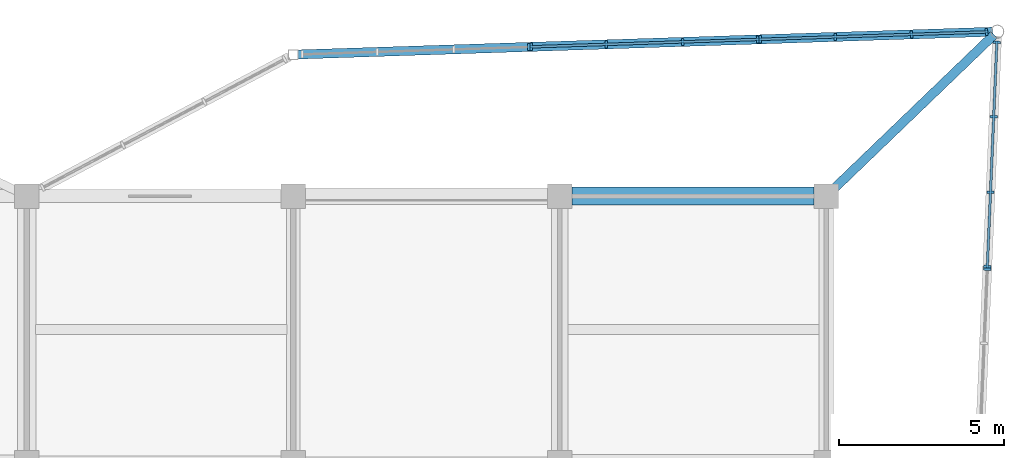
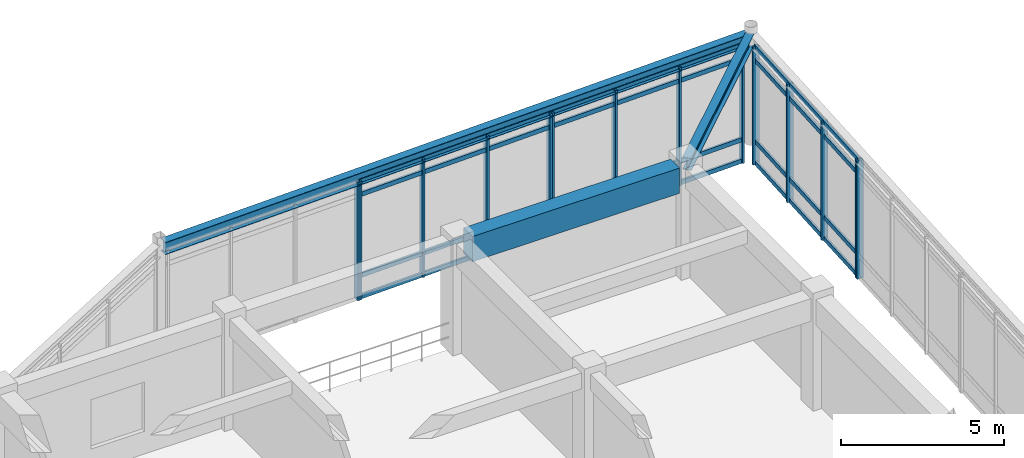
# One storey, part 39 of 70: 26 members, 3 beams, 5 elements without a shape of their own.
"""IFC4 building model written with IfcOpenShell, lengths in metres."""

from ifc_helpers import new_model, si_unit, direction, frame, origin, origin_2d, place, context, subcontext, project, spatial, rectangle, i_section, extrude, material, layer, layer_set, material_profile, profile_set, type_object, element, aggregate, save


model = new_model("IFC4")

# Units and contexts
model_context = context("Model", 3, precision=1e-05, world=origin(), true_north=direction((0.0, 1.0)))
body_context = subcontext(model_context, "Body", "Model", "MODEL_VIEW")
ifc_project = project(units=[si_unit("LENGTHUNIT", "METRE"), si_unit("AREAUNIT", "SQUARE_METRE"), si_unit("VOLUMEUNIT", "CUBIC_METRE"), si_unit("PLANEANGLEUNIT", "RADIAN"), si_unit("MASSUNIT", "GRAM", prefix="KILO")], contexts=[model_context])

# Site, building, storey
site_placement = place(None, origin())
site = spatial("IfcSite", under=ifc_project, at=site_placement, CompositionType="ELEMENT")
building_placement = place(site_placement, origin())
building = spatial("IfcBuilding", under=site, at=building_placement, Name="Vaudrelin Polytechnic", CompositionType="ELEMENT")
storey_placement = place(building_placement, frame((0.0, 0.0, 14.110107421875)))
storey = spatial("IfcBuildingStorey", under=building, at=storey_placement, Name="L03", CompositionType="ELEMENT", Elevation=14.110107421875)

# Beams
ifc_material_1 = material(Name="Concrete 50 MPa", Category="concrete")
ifc_material_profile_1 = material_profile(ifc_material_1, rectangle(XDim=0.550048828125, YDim=0.949951171875, at=origin_2d()), Name="RC550x950")
ifc_profile_set_1 = profile_set([ifc_material_profile_1], Name="Concrete 50 MPa")
beam_type_1 = type_object("IfcBeamType", Name="BM-BM-RC5595", PredefinedType="BEAM", material=ifc_profile_set_1)
beam_1_placement = place(storey_placement, frame((162.37109375, 121.5, 3.684814453125), z_axis=(1.0, 0.0, 0.0), x_axis=(0.0, 1.0, 0.0)))
element("IfcBeam", 1, at=beam_1_placement, inside=storey, type_object=beam_type_1, Name="L03 X-beam 21-16", PredefinedType="BEAM", context=body_context, shape_type="SweptSolid", body=[
    extrude(rectangle(XDim=0.550048828125, YDim=0.949951171875, at=origin_2d()), origin(), (0.0, 0.0, 1.0), 7.35791015625),
])
ifc_material_2 = material(Name="Steel CSA G40.21 350W", Category="steel")
ifc_material_profile_2 = material_profile(ifc_material_2, i_section(OverallWidth=0.280029296875, OverallDepth=0.462890625, WebThickness=0.0107421875, FlangeThickness=0.017333984375, FilletRadius=0.01806640625, at=origin_2d()), Name="W460x113")
ifc_profile_set_2 = profile_set([ifc_material_profile_2], Name="Steel CSA G40.21 350W")
beam_type_2 = type_object("IfcBeamType", Name="BM-BM-W460H", PredefinedType="BEAM", material=ifc_profile_set_2)
beam_2_placement = place(storey_placement, frame((154.039794921875, 125.8046875, 3.928466796875), z_axis=(0.999465724625, 0.032684328046, 0.0), x_axis=(-0.032684328046, 0.999465724625, 0.0)))
element("IfcBeam", 2, at=beam_2_placement, inside=storey, type_object=beam_type_2, Name="Sculptural edge beam L03 NE_BM_2", PredefinedType="BEAM", context=body_context, shape_type="SweptSolid", body=[
    extrude(i_section(OverallWidth=0.280029296875, OverallDepth=0.462890625, WebThickness=0.0107421875, FlangeThickness=0.017333984375, FilletRadius=0.01806640625, at=origin_2d()), origin(), (0.0, 0.0, 1.0), 21.131591796875),
])
beam_3_placement = place(storey_placement, frame((170.200927734375, 121.596923828125, 3.928466796875), z_axis=(0.720825622612, 0.69311645615, 0.0), x_axis=(-0.69311645615, 0.720825622612, 0.0)))
element("IfcBeam", 3, at=beam_3_placement, inside=storey, type_object=beam_type_2, Name="Sculptural edge beam L03 NE_BM_5", PredefinedType="BEAM", context=body_context, shape_type="SweptSolid", body=[
    extrude(i_section(OverallWidth=0.280029296875, OverallDepth=0.462890625, WebThickness=0.0107421875, FlangeThickness=0.017333984375, FilletRadius=0.01806640625, at=origin_2d()), origin(), (0.0, 0.0, 1.0), 6.93408203125),
])

# Curtain wall, member
ifc_material_3 = material(Name="Thermally broken anodised aluminium AA 6063-T6 and low-e triple glazing", Category="aluminium")
ifc_layer = layer(ifc_material_3, 0.199951171875)
ifc_layer_set = layer_set([ifc_layer], Name="Thermally broken anodised aluminium AA 6063-T6 and low-e triple glazing")
curtain_wall_type = type_object("IfcCurtainWallType", Name="CW-CW-LAB", PredefinedType="USERDEFINED", material=ifc_layer_set)
curtain_wall_1_placement = place(storey_placement, origin())
curtain_wall_1 = element("IfcCurtainWall", 4, at=curtain_wall_1_placement, inside=storey, type_object=curtain_wall_type, Name="Curtain wall L03 NEP_2_0", ObjectType="CURTAIN WALL", PredefinedType="USERDEFINED")
ifc_material_4 = material(Name="Anodised aluminium AA 6063-T6", Category="aluminium")
ifc_material_profile_3 = material_profile(ifc_material_4, rectangle(XDim=0.074951171875, YDim=0.219970703125, at=origin_2d()), Name="CWM-75x220")
ifc_profile_set_3 = profile_set([ifc_material_profile_3], Name="Anodised aluminium AA 6063-T6")
member_type_1 = type_object("IfcMemberType", Name="MEM-CWM-220", PredefinedType="MULLION", material=ifc_profile_set_3)
member_1_placement = place(storey_placement, frame((161.0556640625, 126.0341796875, -0.630126953125), z_axis=(0.0, 0.0, 1.0), x_axis=(0.999465454284, 0.032692593862, 0.0)))
member_1 = element("IfcMember", 5, at=member_1_placement, type_object=member_type_1, Name="NEP_2_0 mullion 4", PredefinedType="MULLION", context=body_context, shape_type="SweptSolid", body=[
    extrude(rectangle(XDim=0.074951171875, YDim=0.219970703125, at=origin_2d()), origin(), (0.0, 0.0, 1.0), 4.43994140625),
])
aggregate(curtain_wall_1, [member_1])

# Curtain wall, members
curtain_wall_2_placement = place(storey_placement, origin())
curtain_wall_2 = element("IfcCurtainWall", 6, at=curtain_wall_2_placement, inside=storey, type_object=curtain_wall_type, Name="Curtain wall L03 NEP_2_1", ObjectType="CURTAIN WALL", PredefinedType="USERDEFINED")
member_2_placement = place(storey_placement, frame((161.135498046875, 126.03662109375, -0.630126953125), z_axis=(0.0, 0.0, 1.0), x_axis=(0.999465454284, 0.032692593862, 0.0)))
member_2 = element("IfcMember", 7, at=member_2_placement, type_object=member_type_1, Name="NEP_2_1 mullion 1", PredefinedType="MULLION", context=body_context, shape_type="SweptSolid", body=[
    extrude(rectangle(XDim=0.074951171875, YDim=0.219970703125, at=origin_2d()), origin(), (0.0, 0.0, 1.0), 4.43994140625),
])
member_3_placement = place(storey_placement, frame((163.4150390625, 126.111328125, -0.630126953125), z_axis=(0.0, 0.0, 1.0), x_axis=(0.999465454284, 0.032692593862, 0.0)))
member_3 = element("IfcMember", 8, at=member_3_placement, type_object=member_type_1, Name="NEP_2_1 mullion 2", PredefinedType="MULLION", context=body_context, shape_type="SweptSolid", body=[
    extrude(rectangle(XDim=0.074951171875, YDim=0.219970703125, at=origin_2d()), origin(), (0.0, 0.0, 1.0), 4.43994140625),
])
member_4_placement = place(storey_placement, frame((165.734375, 126.18701171875, -0.630126953125), z_axis=(0.0, 0.0, 1.0), x_axis=(0.999465454284, 0.032692593862, 0.0)))
member_4 = element("IfcMember", 9, at=member_4_placement, type_object=member_type_1, Name="NEP_2_1 mullion 3", PredefinedType="MULLION", context=body_context, shape_type="SweptSolid", body=[
    extrude(rectangle(XDim=0.074951171875, YDim=0.219970703125, at=origin_2d()), origin(), (0.0, 0.0, 1.0), 4.43994140625),
])
member_5_placement = place(storey_placement, frame((168.013671875, 126.26171875, -0.630126953125), z_axis=(0.0, 0.0, 1.0), x_axis=(0.999465454284, 0.032692593862, 0.0)))
member_5 = element("IfcMember", 10, at=member_5_placement, type_object=member_type_1, Name="NEP_2_1 mullion 4", PredefinedType="MULLION", context=body_context, shape_type="SweptSolid", body=[
    extrude(rectangle(XDim=0.074951171875, YDim=0.219970703125, at=origin_2d()), origin(), (0.0, 0.0, 1.0), 4.43994140625),
])

curtain_wall_3_placement = place(storey_placement, origin())
curtain_wall_3 = element("IfcCurtainWall", 11, at=curtain_wall_3_placement, inside=storey, type_object=curtain_wall_type, Name="Curtain wall L03 NEP_2_2", ObjectType="CURTAIN WALL", PredefinedType="USERDEFINED")
member_6_placement = place(storey_placement, frame((168.09375, 126.264404296875, -0.630126953125), z_axis=(0.0, 0.0, 1.0), x_axis=(0.999465454284, 0.032692593862, 0.0)))
member_6 = element("IfcMember", 12, at=member_6_placement, type_object=member_type_1, Name="NEP_2_2 mullion 1", PredefinedType="MULLION", context=body_context, shape_type="SweptSolid", body=[
    extrude(rectangle(XDim=0.074951171875, YDim=0.219970703125, at=origin_2d()), origin(), (0.0, 0.0, 1.0), 4.43994140625),
])
member_7_placement = place(storey_placement, frame((170.373046875, 126.3388671875, -0.630126953125), z_axis=(0.0, 0.0, 1.0), x_axis=(0.999465454284, 0.032692593862, 0.0)))
member_7 = element("IfcMember", 13, at=member_7_placement, type_object=member_type_1, Name="NEP_2_2 mullion 2", PredefinedType="MULLION", context=body_context, shape_type="SweptSolid", body=[
    extrude(rectangle(XDim=0.074951171875, YDim=0.219970703125, at=origin_2d()), origin(), (0.0, 0.0, 1.0), 4.43994140625),
])
member_8_placement = place(storey_placement, frame((172.6923828125, 126.414794921875, -0.630126953125), z_axis=(0.0, 0.0, 1.0), x_axis=(0.999465454284, 0.032692593862, 0.0)))
member_8 = element("IfcMember", 14, at=member_8_placement, type_object=member_type_1, Name="NEP_2_2 mullion 3", PredefinedType="MULLION", context=body_context, shape_type="SweptSolid", body=[
    extrude(rectangle(XDim=0.074951171875, YDim=0.219970703125, at=origin_2d()), origin(), (0.0, 0.0, 1.0), 4.43994140625),
])
member_9_placement = place(storey_placement, frame((174.9716796875, 126.4892578125, -0.630126953125), z_axis=(0.0, 0.0, 1.0), x_axis=(0.999465454284, 0.032692593862, 0.0)))
member_9 = element("IfcMember", 15, at=member_9_placement, type_object=member_type_1, Name="NEP_2_2 mullion 4", PredefinedType="MULLION", context=body_context, shape_type="SweptSolid", body=[
    extrude(rectangle(XDim=0.074951171875, YDim=0.219970703125, at=origin_2d()), origin(), (0.0, 0.0, 1.0), 4.43994140625),
])

curtain_wall_4_placement = place(storey_placement, origin())
curtain_wall_4 = element("IfcCurtainWall", 16, at=curtain_wall_4_placement, inside=storey, type_object=curtain_wall_type, Name="Curtain wall L03 NEP_3_0", ObjectType="CURTAIN WALL", PredefinedType="USERDEFINED")
member_10_placement = place(storey_placement, frame((175.2861328125, 126.171875, -0.630126953125), z_axis=(0.0, 0.0, 1.0), x_axis=(-0.042419882824, -0.999099871655, 0.0)))
member_10 = element("IfcMember", 17, at=member_10_placement, type_object=member_type_1, Name="NEP_3_0 mullion 1", PredefinedType="MULLION", context=body_context, shape_type="SweptSolid", body=[
    extrude(rectangle(XDim=0.074951171875, YDim=0.219970703125, at=origin_2d()), origin(), (0.0, 0.0, 1.0), 4.43994140625),
])
member_11_placement = place(storey_placement, frame((175.190185546875, 123.914794921875, -0.630126953125), z_axis=(0.0, 0.0, 1.0), x_axis=(-0.042419882824, -0.999099871655, 0.0)))
member_11 = element("IfcMember", 18, at=member_11_placement, type_object=member_type_1, Name="NEP_3_0 mullion 2", PredefinedType="MULLION", context=body_context, shape_type="SweptSolid", body=[
    extrude(rectangle(XDim=0.074951171875, YDim=0.219970703125, at=origin_2d()), origin(), (0.0, 0.0, 1.0), 4.43994140625),
])
member_12_placement = place(storey_placement, frame((175.0927734375, 121.61767578125, -0.630126953125), z_axis=(0.0, 0.0, 1.0), x_axis=(-0.042419882824, -0.999099871655, 0.0)))
member_12 = element("IfcMember", 19, at=member_12_placement, type_object=member_type_1, Name="NEP_3_0 mullion 3", PredefinedType="MULLION", context=body_context, shape_type="SweptSolid", body=[
    extrude(rectangle(XDim=0.074951171875, YDim=0.219970703125, at=origin_2d()), origin(), (0.0, 0.0, 1.0), 4.43994140625),
])
member_13_placement = place(storey_placement, frame((174.996826171875, 119.3603515625, -0.630126953125), z_axis=(0.0, 0.0, 1.0), x_axis=(-0.042419882824, -0.999099871655, 0.0)))
member_13 = element("IfcMember", 20, at=member_13_placement, type_object=member_type_1, Name="NEP_3_0 mullion 4", PredefinedType="MULLION", context=body_context, shape_type="SweptSolid", body=[
    extrude(rectangle(XDim=0.074951171875, YDim=0.219970703125, at=origin_2d()), origin(), (0.0, 0.0, 1.0), 4.43994140625),
])

# Curtain wall, member
curtain_wall_5_placement = place(storey_placement, origin())
curtain_wall_5 = element("IfcCurtainWall", 21, at=curtain_wall_5_placement, inside=storey, type_object=curtain_wall_type, Name="Curtain wall L03 NEP_3_1", ObjectType="CURTAIN WALL", PredefinedType="USERDEFINED")
member_14_placement = place(storey_placement, frame((174.993408203125, 119.280517578125, -0.630126953125), z_axis=(0.0, 0.0, 1.0), x_axis=(-0.042405411318, -0.999100485983, 0.0)))
member_14 = element("IfcMember", 22, at=member_14_placement, type_object=member_type_1, Name="NEP_3_1 mullion 1", PredefinedType="MULLION", context=body_context, shape_type="SweptSolid", body=[
    extrude(rectangle(XDim=0.074951171875, YDim=0.219970703125, at=origin_2d()), origin(), (0.0, 0.0, 1.0), 4.43994140625),
])
aggregate(curtain_wall_5, [member_14])

# Member
ifc_material_profile_4 = material_profile(ifc_material_4, rectangle(XDim=0.074951171875, YDim=0.1650390625, at=origin_2d()), Name="CWT-75x165")
ifc_profile_set_4 = profile_set([ifc_material_profile_4], Name="Anodised aluminium AA 6063-T6")
member_type_2 = type_object("IfcMemberType", Name="MEM-CWT-165", PredefinedType="USERDEFINED", material=ifc_profile_set_4)
member_15_placement = place(storey_placement, frame((161.095703125, 126.035400390625, -0.580078125), z_axis=(0.999465726108, 0.032684282692, 0.0), x_axis=(-0.032684282692, 0.999465726108, 0.0)))
member_15 = element("IfcMember", 23, at=member_15_placement, type_object=member_type_2, Name="NEP_2_1 transom 1", ObjectType="TRANSOM", PredefinedType="USERDEFINED", context=body_context, shape_type="SweptSolid", body=[
    extrude(rectangle(XDim=0.074951171875, YDim=0.1650390625, at=origin_2d()), origin(), (0.0, 0.0, 1.0), 6.961669921875),
])

member_16_placement = place(storey_placement, frame((161.095703125, 126.035400390625, 0.219970703125), z_axis=(0.999465726108, 0.032684282692, 0.0), x_axis=(-0.032684282692, 0.999465726108, 0.0)))
member_16 = element("IfcMember", 24, at=member_16_placement, type_object=member_type_2, Name="NEP_2_1 transom 2", ObjectType="TRANSOM", PredefinedType="USERDEFINED", context=body_context, shape_type="SweptSolid", body=[
    extrude(rectangle(XDim=0.074951171875, YDim=0.1650390625, at=origin_2d()), origin(), (0.0, 0.0, 1.0), 6.961669921875),
])

member_17_placement = place(storey_placement, frame((161.095703125, 126.035400390625, 3.260009765625), z_axis=(0.999465726108, 0.032684282692, 0.0), x_axis=(-0.032684282692, 0.999465726108, 0.0)))
member_17 = element("IfcMember", 25, at=member_17_placement, type_object=member_type_2, Name="NEP_2_1 transom 3", ObjectType="TRANSOM", PredefinedType="USERDEFINED", context=body_context, shape_type="SweptSolid", body=[
    extrude(rectangle(XDim=0.074951171875, YDim=0.1650390625, at=origin_2d()), origin(), (0.0, 0.0, 1.0), 6.961669921875),
])

member_18_placement = place(storey_placement, frame((161.095703125, 126.035400390625, 3.760009765625), z_axis=(0.999465726108, 0.032684282692, 0.0), x_axis=(-0.032684282692, 0.999465726108, 0.0)))
member_18 = element("IfcMember", 26, at=member_18_placement, type_object=member_type_2, Name="NEP_2_1 transom 4", ObjectType="TRANSOM", PredefinedType="USERDEFINED", context=body_context, shape_type="SweptSolid", body=[
    extrude(rectangle(XDim=0.074951171875, YDim=0.1650390625, at=origin_2d()), origin(), (0.0, 0.0, 1.0), 6.961669921875),
])

aggregate(curtain_wall_2, [member_2, member_3, member_4, member_5, member_15, member_16, member_17, member_18])

member_19_placement = place(storey_placement, frame((168.0537109375, 126.262939453125, -0.580078125), z_axis=(0.999465726108, 0.032684282692, 0.0), x_axis=(-0.032684282692, 0.999465726108, 0.0)))
member_19 = element("IfcMember", 27, at=member_19_placement, type_object=member_type_2, Name="NEP_2_2 transom 1", ObjectType="TRANSOM", PredefinedType="USERDEFINED", context=body_context, shape_type="SweptSolid", body=[
    extrude(rectangle(XDim=0.074951171875, YDim=0.1650390625, at=origin_2d()), origin(), (0.0, 0.0, 1.0), 6.961669921875),
])

member_20_placement = place(storey_placement, frame((168.0537109375, 126.262939453125, 0.219970703125), z_axis=(0.999465726108, 0.032684282692, 0.0), x_axis=(-0.032684282692, 0.999465726108, 0.0)))
member_20 = element("IfcMember", 28, at=member_20_placement, type_object=member_type_2, Name="NEP_2_2 transom 2", ObjectType="TRANSOM", PredefinedType="USERDEFINED", context=body_context, shape_type="SweptSolid", body=[
    extrude(rectangle(XDim=0.074951171875, YDim=0.1650390625, at=origin_2d()), origin(), (0.0, 0.0, 1.0), 6.961669921875),
])

member_21_placement = place(storey_placement, frame((168.0537109375, 126.262939453125, 3.260009765625), z_axis=(0.999465726108, 0.032684282692, 0.0), x_axis=(-0.032684282692, 0.999465726108, 0.0)))
member_21 = element("IfcMember", 29, at=member_21_placement, type_object=member_type_2, Name="NEP_2_2 transom 3", ObjectType="TRANSOM", PredefinedType="USERDEFINED", context=body_context, shape_type="SweptSolid", body=[
    extrude(rectangle(XDim=0.074951171875, YDim=0.1650390625, at=origin_2d()), origin(), (0.0, 0.0, 1.0), 6.961669921875),
])

member_22_placement = place(storey_placement, frame((168.0537109375, 126.262939453125, 3.760009765625), z_axis=(0.999465726108, 0.032684282692, 0.0), x_axis=(-0.032684282692, 0.999465726108, 0.0)))
member_22 = element("IfcMember", 30, at=member_22_placement, type_object=member_type_2, Name="NEP_2_2 transom 4", ObjectType="TRANSOM", PredefinedType="USERDEFINED", context=body_context, shape_type="SweptSolid", body=[
    extrude(rectangle(XDim=0.074951171875, YDim=0.1650390625, at=origin_2d()), origin(), (0.0, 0.0, 1.0), 6.961669921875),
])

aggregate(curtain_wall_3, [member_6, member_7, member_8, member_9, member_19, member_20, member_21, member_22])

member_23_placement = place(storey_placement, frame((175.287841796875, 126.2119140625, -0.580078125), z_axis=(-0.042437291332, -0.999099132371, 0.0), x_axis=(0.999099132371, -0.042437291332, 0.0)))
member_23 = element("IfcMember", 31, at=member_23_placement, type_object=member_type_2, Name="NEP_3_0 transom 1", ObjectType="TRANSOM", PredefinedType="USERDEFINED", context=body_context, shape_type="SweptSolid", body=[
    extrude(rectangle(XDim=0.074951171875, YDim=0.1650390625, at=origin_2d()), origin(), (0.0, 0.0, 1.0), 6.897705078125),
])

member_24_placement = place(storey_placement, frame((175.287841796875, 126.2119140625, 0.219970703125), z_axis=(-0.042437291332, -0.999099132371, 0.0), x_axis=(0.999099132371, -0.042437291332, 0.0)))
member_24 = element("IfcMember", 32, at=member_24_placement, type_object=member_type_2, Name="NEP_3_0 transom 2", ObjectType="TRANSOM", PredefinedType="USERDEFINED", context=body_context, shape_type="SweptSolid", body=[
    extrude(rectangle(XDim=0.074951171875, YDim=0.1650390625, at=origin_2d()), origin(), (0.0, 0.0, 1.0), 6.897705078125),
])

member_25_placement = place(storey_placement, frame((175.287841796875, 126.2119140625, 3.260009765625), z_axis=(-0.042437291332, -0.999099132371, 0.0), x_axis=(0.999099132371, -0.042437291332, 0.0)))
member_25 = element("IfcMember", 33, at=member_25_placement, type_object=member_type_2, Name="NEP_3_0 transom 3", ObjectType="TRANSOM", PredefinedType="USERDEFINED", context=body_context, shape_type="SweptSolid", body=[
    extrude(rectangle(XDim=0.074951171875, YDim=0.1650390625, at=origin_2d()), origin(), (0.0, 0.0, 1.0), 6.897705078125),
])

member_26_placement = place(storey_placement, frame((175.287841796875, 126.2119140625, 3.760009765625), z_axis=(-0.042437291332, -0.999099132371, 0.0), x_axis=(0.999099132371, -0.042437291332, 0.0)))
member_26 = element("IfcMember", 34, at=member_26_placement, type_object=member_type_2, Name="NEP_3_0 transom 4", ObjectType="TRANSOM", PredefinedType="USERDEFINED", context=body_context, shape_type="SweptSolid", body=[
    extrude(rectangle(XDim=0.074951171875, YDim=0.1650390625, at=origin_2d()), origin(), (0.0, 0.0, 1.0), 6.897705078125),
])

aggregate(curtain_wall_4, [member_10, member_11, member_12, member_13, member_23, member_24, member_25, member_26])

save(model, "model.ifc")
